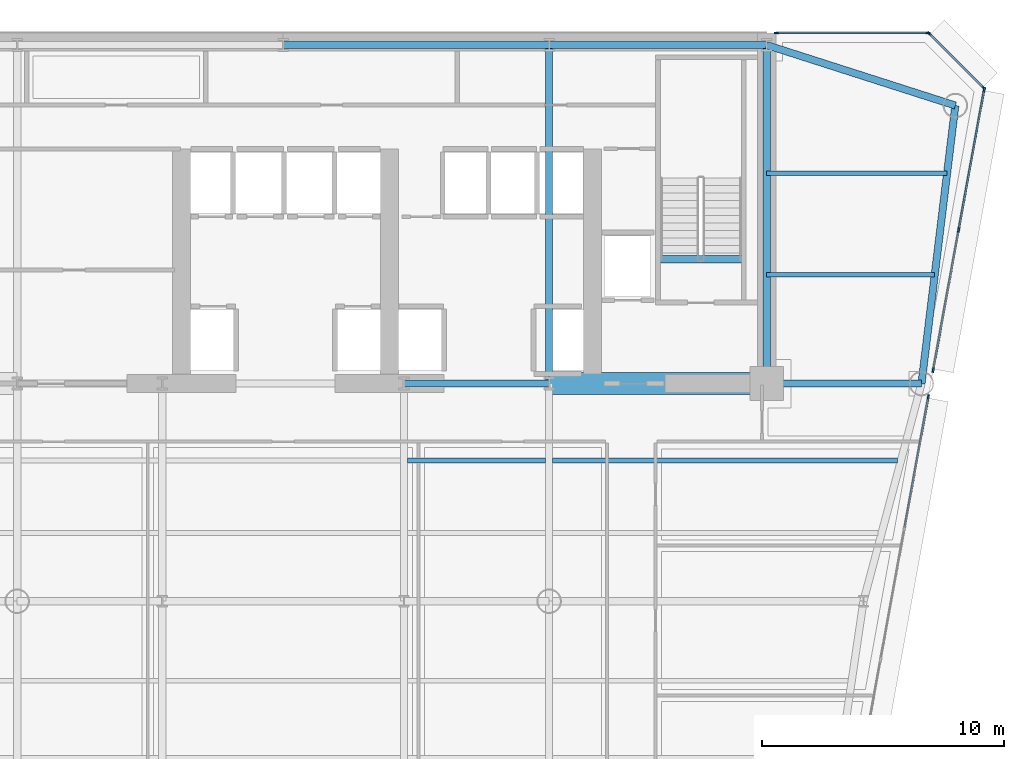
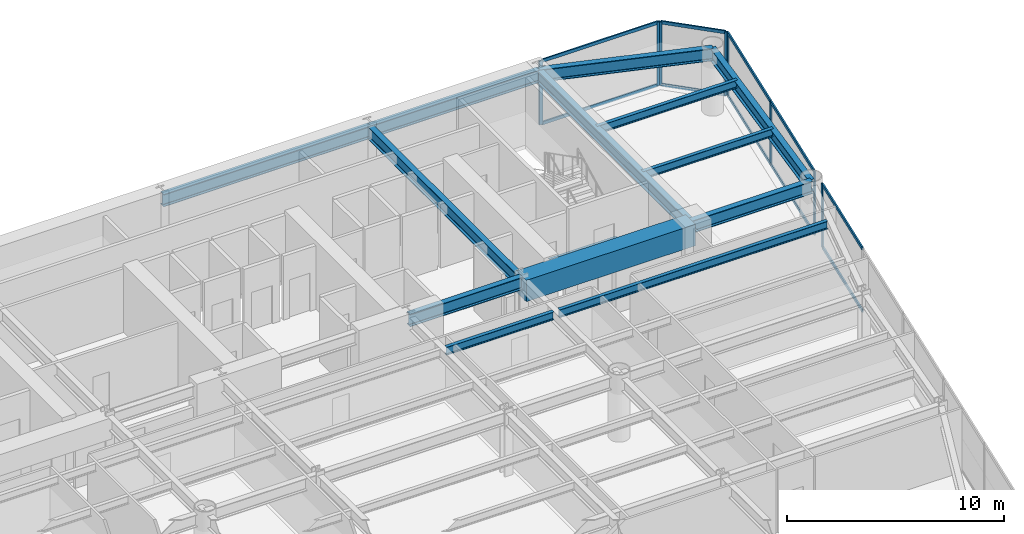
# One storey, part 6 of 14: 18 members, 14 beams, 4 elements without a shape of their own.
"""IFC4 building model written with IfcOpenShell, lengths in metres."""

from ifc_helpers import new_model, si_unit, direction, frame, origin, origin_2d, place, context, subcontext, project, spatial, rectangle, i_section, extrude, source, transform, mapped, material, layer, layer_set, material_profile, profile_set, type_object, element, aggregate, save


model = new_model("IFC4")

# Units and contexts
model_context = context("Model", 3, precision=1e-05, world=origin(), true_north=direction((0.0, 1.0)))
body_context = subcontext(model_context, "Body", "Model", "MODEL_VIEW")
ifc_project = project(units=[si_unit("LENGTHUNIT", "METRE"), si_unit("AREAUNIT", "SQUARE_METRE"), si_unit("VOLUMEUNIT", "CUBIC_METRE"), si_unit("PLANEANGLEUNIT", "RADIAN"), si_unit("MASSUNIT", "GRAM", prefix="KILO")], contexts=[model_context])

# Site, building, storey
site_placement = place(None, origin())
site = spatial("IfcSite", under=ifc_project, at=site_placement, CompositionType="ELEMENT")
building_placement = place(site_placement, origin())
building = spatial("IfcBuilding", under=site, at=building_placement, Name="Vaeldorn Concourse Tower", CompositionType="ELEMENT")
storey_placement = place(building_placement, frame((0.0, 0.0, 130.0)))
storey = spatial("IfcBuildingStorey", under=building, at=storey_placement, Name="L33", CompositionType="ELEMENT", Elevation=130.0)

# Beams
ifc_material_1 = material(Name="Concrete C60/75", Category="concrete")
ifc_material_profile_1 = material_profile(ifc_material_1, rectangle(XDim=0.89990234375, YDim=1.199951171875, at=origin_2d()), Name="RC 900x1200")
ifc_profile_set_1 = profile_set([ifc_material_profile_1], Name="Concrete C60/75")
beam_type_1 = type_object("IfcBeamType", Name="BM-CB-RC900", PredefinedType="BEAM", material=ifc_profile_set_1)
shared_shape_1 = source(origin(), body_context, "Body", "SweptSolid", [
    extrude(rectangle(XDim=0.89990234375, YDim=1.199951171875, at=origin_2d()), origin(), (0.0, 0.0, 1.0), 9.0),
])
beam_1_placement = place(storey_placement, frame((45.0, 36.5, 2.97998046875), z_axis=(1.0, 0.0, 0.0), x_axis=(0.0, 1.0, 0.0)))
element("IfcBeam", 1, at=beam_1_placement, inside=storey, type_object=beam_type_1, Name="Core Coupling Beam L33-2", PredefinedType="BEAM", context=body_context, shape_type="MappedRepresentation", body=[
    mapped(shared_shape_1, transform((0.0, 0.0, 0.0), scale=1.0)),
])
ifc_material_2 = material(Name="Steel S355", Category="steel")
ifc_material_profile_2 = material_profile(ifc_material_2, i_section(OverallWidth=0.300048828125, OverallDepth=0.340087890625, WebThickness=0.011962890625, FlangeThickness=0.021484375, FilletRadius=0.027099609375, at=origin_2d()), Name="HEB 340")
ifc_profile_set_2 = profile_set([ifc_material_profile_2], Name="Steel S355")
beam_type_2 = type_object("IfcBeamType", Name="BM-ST-TRIM", PredefinedType="BEAM", material=ifc_profile_set_2)
shared_shape_2 = source(origin(), body_context, "Body", "SweptSolid", [
    extrude(i_section(OverallWidth=0.300048828125, OverallDepth=0.340087890625, WebThickness=0.011962890625, FlangeThickness=0.021484375, FilletRadius=0.027099609375, at=origin_2d()), origin(), (0.0, 0.0, 1.0), 3.590087890625),
])
beam_2_placement = place(storey_placement, frame((49.47998046875, 41.639892578125, -0.389892578125), z_axis=(1.0, 0.0, 0.0), x_axis=(0.0, 1.0, 0.0)))
element("IfcBeam", 2, at=beam_2_placement, inside=storey, type_object=beam_type_2, Name="Stair Landing Trimmer Beam ST-2 L33", PredefinedType="BEAM", context=body_context, shape_type="MappedRepresentation", body=[
    mapped(shared_shape_2, transform((0.0, 0.0, 0.0), scale=1.0)),
])
ifc_material_profile_3 = material_profile(ifc_material_2, i_section(OverallWidth=0.300048828125, OverallDepth=0.699951171875, WebThickness=0.01708984375, FlangeThickness=0.031982421875, FilletRadius=0.027099609375, at=origin_2d()), Name="HEB 700")
ifc_profile_set_3 = profile_set([ifc_material_profile_3], Name="Steel S355")
beam_type_3 = type_object("IfcBeamType", Name="BM-PG-HEB700", PredefinedType="BEAM", material=ifc_profile_set_3)
shared_shape_3 = source(origin(), body_context, "Body", "SweptSolid", [
    extrude(i_section(OverallWidth=0.300048828125, OverallDepth=0.699951171875, WebThickness=0.01708984375, FlangeThickness=0.031982421875, FilletRadius=0.027099609375, at=origin_2d()), origin(), (0.0, 0.0, 1.0), 6.0),
])
beam_3_placement = place(storey_placement, frame((39.0, 36.5, 3.22998046875), z_axis=(1.0, 0.0, 0.0), x_axis=(0.0, 1.0, 0.0)))
element("IfcBeam", 3, at=beam_3_placement, inside=storey, type_object=beam_type_3, Name="Beam BM-L33-C-FC4-C-FC5", PredefinedType="BEAM", context=body_context, shape_type="MappedRepresentation", body=[
    mapped(shared_shape_3, transform((0.0, 0.0, 0.0), scale=1.0)),
])
shared_shape_4 = source(origin(), body_context, "Body", "SweptSolid", [
    extrude(i_section(OverallWidth=0.300048828125, OverallDepth=0.699951171875, WebThickness=0.01708984375, FlangeThickness=0.031982421875, FilletRadius=0.027099609375, at=origin_2d()), origin(), (0.0, 0.0, 1.0), 9.0),
])
beam_4_placement = place(storey_placement, frame((45.0, 50.5, 3.22998046875), z_axis=(1.0, 0.0, 0.0), x_axis=(0.0, 1.0, 0.0)))
element("IfcBeam", 4, at=beam_4_placement, inside=storey, type_object=beam_type_3, Name="Beam BM-L33-C-HC4-C-HC5", PredefinedType="BEAM", context=body_context, shape_type="MappedRepresentation", body=[
    mapped(shared_shape_4, transform((0.0, 0.0, 0.0), scale=1.0)),
])
shared_shape_5 = source(origin(), body_context, "Body", "SweptSolid", [
    extrude(i_section(OverallWidth=0.300048828125, OverallDepth=0.699951171875, WebThickness=0.01708984375, FlangeThickness=0.031982421875, FilletRadius=0.027099609375, at=origin_2d()), origin(), (0.0, 0.0, 1.0), 11.0),
])
beam_5_placement = place(storey_placement, frame((34.0, 50.5, 3.22998046875), z_axis=(1.0, 0.0, 0.0), x_axis=(0.0, 1.0, 0.0)))
element("IfcBeam", 5, at=beam_5_placement, inside=storey, type_object=beam_type_3, Name="Beam BM-L33-C-HC3-C-HC4", PredefinedType="BEAM", context=body_context, shape_type="MappedRepresentation", body=[
    mapped(shared_shape_5, transform((0.0, 0.0, 0.0), scale=1.0)),
])
shared_shape_6 = source(origin(), body_context, "Body", "SweptSolid", [
    extrude(i_section(OverallWidth=0.300048828125, OverallDepth=0.699951171875, WebThickness=0.01708984375, FlangeThickness=0.031982421875, FilletRadius=0.027099609375, at=origin_2d()), origin(), (0.0, 0.0, 1.0), 14.0),
])
for number, where, z_axis, x_axis, name in (
    (6, (45.0, 36.5, 3.22998046875), (0.0, 1.0, 0.0), (-1.0, 0.0, 0.0), "Beam BM-L33-C-FC5-C-HC4"),
    (7, (54.0, 36.5, 3.22998046875), (0.0, 1.0, 0.0), (-1.0, 0.0, 0.0), "Beam BM-L33-C-FC6-C-HC5"),
):
    element("IfcBeam", number, at=place(storey_placement, frame(where, z_axis=z_axis, x_axis=x_axis)), inside=storey, type_object=beam_type_3, Name=name, PredefinedType="BEAM", context=body_context, shape_type="MappedRepresentation", body=[
        mapped(shared_shape_6, transform((0.0, 0.0, 0.0), scale=1.0)),
    ])
shared_shape_7 = source(origin(), body_context, "Body", "SweptSolid", [
    extrude(i_section(OverallWidth=0.300048828125, OverallDepth=0.699951171875, WebThickness=0.01708984375, FlangeThickness=0.031982421875, FilletRadius=0.027099609375, at=origin_2d()), origin(), (0.0, 0.0, 1.0), 8.19091796875),
])
beam_6_placement = place(storey_placement, frame((54.0, 50.5, 3.22998046875), z_axis=(0.952282843383, -0.305216949396, 0.0), x_axis=(0.305216949396, 0.952282843383, 0.0)))
element("IfcBeam", 8, at=beam_6_placement, inside=storey, type_object=beam_type_3, Name="Beam BM-L33-C-HC5-C-NE1", PredefinedType="BEAM", context=body_context, shape_type="MappedRepresentation", body=[
    mapped(shared_shape_7, transform((0.0, 0.0, 0.0), scale=1.0)),
])
shared_shape_8 = source(origin(), body_context, "Body", "SweptSolid", [
    extrude(i_section(OverallWidth=0.300048828125, OverallDepth=0.699951171875, WebThickness=0.01708984375, FlangeThickness=0.031982421875, FilletRadius=0.027099609375, at=origin_2d()), origin(), (0.0, 0.0, 1.0), 11.5849609375),
])
beam_7_placement = place(storey_placement, frame((61.800048828125, 48.0, 3.22998046875), z_axis=(-0.120859382899, -0.992669637677, 0.0), x_axis=(0.992669637677, -0.120859382899, 0.0)))
element("IfcBeam", 9, at=beam_7_placement, inside=storey, type_object=beam_type_3, Name="Beam BM-L33-C-NE1-C-NE2", PredefinedType="BEAM", context=body_context, shape_type="MappedRepresentation", body=[
    mapped(shared_shape_8, transform((0.0, 0.0, 0.0), scale=1.0)),
])
shared_shape_9 = source(origin(), body_context, "Body", "SweptSolid", [
    extrude(i_section(OverallWidth=0.300048828125, OverallDepth=0.699951171875, WebThickness=0.01708984375, FlangeThickness=0.031982421875, FilletRadius=0.027099609375, at=origin_2d()), origin(), (0.0, 0.0, 1.0), 6.39990234375),
])
beam_8_placement = place(storey_placement, frame((54.0, 36.5, 3.22998046875), z_axis=(1.0, 0.0, 0.0), x_axis=(0.0, 1.0, 0.0)))
element("IfcBeam", 10, at=beam_8_placement, inside=storey, type_object=beam_type_3, Name="Beam BM-L33-C-FC6-C-NE2", PredefinedType="BEAM", context=body_context, shape_type="MappedRepresentation", body=[
    mapped(shared_shape_9, transform((0.0, 0.0, 0.0), scale=1.0)),
])
ifc_material_profile_4 = material_profile(ifc_material_2, i_section(OverallWidth=0.18994140625, OverallDepth=0.449951171875, WebThickness=0.009521484375, FlangeThickness=0.0146484375, FilletRadius=0.02099609375, at=origin_2d()), Name="IPE 450")
ifc_profile_set_4 = profile_set([ifc_material_profile_4], Name="Steel S355")
beam_type_4 = type_object("IfcBeamType", Name="BM-JS-IPE450", PredefinedType="JOIST", material=ifc_profile_set_4)
shared_shape_10 = source(origin(), body_context, "Body", "SweptSolid", [
    extrude(i_section(OverallWidth=0.18994140625, OverallDepth=0.449951171875, WebThickness=0.009521484375, FlangeThickness=0.0146484375, FilletRadius=0.02099609375, at=origin_2d()), origin(), (0.0, 0.0, 1.0), 5.7001953125),
])
beam_9_placement = place(storey_placement, frame((39.14990234375, 33.320068359375, 3.35498046875), z_axis=(1.0, 0.0, 0.0), x_axis=(0.0, 1.0, 0.0)))
element("IfcBeam", 11, at=beam_9_placement, inside=storey, type_object=beam_type_4, Name="Beam JS-L33-E2-333", PredefinedType="JOIST", context=body_context, shape_type="MappedRepresentation", body=[
    mapped(shared_shape_10, transform((0.0, 0.0, 0.0), scale=1.0)),
])
shared_shape_11 = source(origin(), body_context, "Body", "SweptSolid", [
    extrude(i_section(OverallWidth=0.18994140625, OverallDepth=0.449951171875, WebThickness=0.009521484375, FlangeThickness=0.0146484375, FilletRadius=0.02099609375, at=origin_2d()), origin(), (0.0, 0.0, 1.0), 6.94775390625),
])
beam_10_placement = place(storey_placement, frame((54.0, 41.0, 3.35498046875), z_axis=(1.0, 0.0, 0.0), x_axis=(0.0, 1.0, 0.0)))
element("IfcBeam", 12, at=beam_10_placement, inside=storey, type_object=beam_type_4, Name="Beam JS-L33-NE-410", PredefinedType="JOIST", context=body_context, shape_type="MappedRepresentation", body=[
    mapped(shared_shape_11, transform((0.0, 0.0, 0.0), scale=1.0)),
])
shared_shape_12 = source(origin(), body_context, "Body", "SweptSolid", [
    extrude(i_section(OverallWidth=0.18994140625, OverallDepth=0.449951171875, WebThickness=0.009521484375, FlangeThickness=0.0146484375, FilletRadius=0.02099609375, at=origin_2d()), origin(), (0.0, 0.0, 1.0), 7.458984375),
])
beam_11_placement = place(storey_placement, frame((54.0, 45.199951171875, 3.35498046875), z_axis=(1.0, 0.0, 0.0), x_axis=(0.0, 1.0, 0.0)))
element("IfcBeam", 13, at=beam_11_placement, inside=storey, type_object=beam_type_4, Name="Beam JS-L33-NE-452", PredefinedType="JOIST", context=body_context, shape_type="MappedRepresentation", body=[
    mapped(shared_shape_12, transform((0.0, 0.0, 0.0), scale=1.0)),
])
shared_shape_13 = source(origin(), body_context, "Body", "SweptSolid", [
    extrude(i_section(OverallWidth=0.18994140625, OverallDepth=0.449951171875, WebThickness=0.009521484375, FlangeThickness=0.0146484375, FilletRadius=0.02099609375, at=origin_2d()), origin(), (0.0, 0.0, 1.0), 14.252197265625),
])
beam_12_placement = place(storey_placement, frame((45.14990234375, 33.320068359375, 3.35498046875), z_axis=(1.0, 0.0, 0.0), x_axis=(0.0, 1.0, 0.0)))
element("IfcBeam", 14, at=beam_12_placement, inside=storey, type_object=beam_type_4, Name="Beam JS-L33-E1-333", PredefinedType="JOIST", context=body_context, shape_type="MappedRepresentation", body=[
    mapped(shared_shape_13, transform((0.0, 0.0, 0.0), scale=1.0)),
])

# Curtain wall, members
ifc_material_3 = material(Name="Anodised Bronze Aluminium", Category="aluminium")
ifc_layer = layer(ifc_material_3, 0.199951171875)
ifc_layer_set = layer_set([ifc_layer], Name="Anodised Bronze Aluminium")
curtain_wall_type = type_object("IfcCurtainWallType", Name="CW-SYS-02", PredefinedType="NOTDEFINED", material=ifc_layer_set)
curtain_wall_1_placement = place(storey_placement, origin())
curtain_wall_1 = element("IfcCurtainWall", 15, at=curtain_wall_1_placement, inside=storey, type_object=curtain_wall_type, Name="Unitised Curtain Wall CW-L33-E08-1", PredefinedType="NOTDEFINED")
ifc_material_profile_5 = material_profile(ifc_material_3, rectangle(XDim=0.074951171875, YDim=0.179931640625, at=origin_2d()), Name="CWT 75x180")
ifc_profile_set_5 = profile_set([ifc_material_profile_5], Name="Anodised Bronze Aluminium")
member_type_1 = type_object("IfcMemberType", Name="CWT-BRONZE-180", PredefinedType="USERDEFINED", material=ifc_profile_set_5)
shared_shape_14 = source(origin(), body_context, "Body", "SweptSolid", [
    extrude(rectangle(XDim=0.074951171875, YDim=0.179931640625, at=origin_2d()), origin(), (0.0, 0.0, 1.0), 3.10302734375),
])
member_1_placement = place(storey_placement, frame((62.947021484375, 48.7529296875, 0.03759765625), z_axis=(-0.707106781187, 0.707106781187, 0.0), x_axis=(-0.707106781187, -0.707106781187, 0.0)))
member_1 = element("IfcMember", 16, at=member_1_placement, type_object=member_type_1, Name="CW-02 transom 1.1", ObjectType="TRANSOM", PredefinedType="USERDEFINED", context=body_context, shape_type="MappedRepresentation", body=[
    mapped(shared_shape_14, transform((0.0, 0.0, 0.0), scale=1.0)),
])
member_2_placement = place(storey_placement, frame((62.947021484375, 48.7529296875, 3.54248046875), z_axis=(-0.707106781187, 0.707106781187, 0.0), x_axis=(-0.707106781187, -0.707106781187, 0.0)))
member_2 = element("IfcMember", 17, at=member_2_placement, type_object=member_type_1, Name="CW-02 transom 1.2", ObjectType="TRANSOM", PredefinedType="USERDEFINED", context=body_context, shape_type="MappedRepresentation", body=[
    mapped(shared_shape_14, transform((0.0, 0.0, 0.0), scale=1.0)),
])

# Curtain wall, member
curtain_wall_2_placement = place(storey_placement, origin())
curtain_wall_2 = element("IfcCurtainWall", 18, at=curtain_wall_2_placement, inside=storey, type_object=curtain_wall_type, Name="Unitised Curtain Wall CW-L33-E07-1", PredefinedType="NOTDEFINED")
ifc_material_profile_6 = material_profile(ifc_material_3, rectangle(XDim=0.074951171875, YDim=0.18994140625, at=origin_2d()), Name="CWM 75x190")
ifc_profile_set_6 = profile_set([ifc_material_profile_6], Name="Anodised Bronze Aluminium")
member_type_2 = type_object("IfcMemberType", Name="CWM-BRONZE-190", PredefinedType="MULLION", material=ifc_profile_set_6)
shared_shape_15 = source(origin(), body_context, "Body", "SweptSolid", [
    extrude(rectangle(XDim=0.074951171875, YDim=0.18994140625, at=origin_2d()), origin(), (0.0, 0.0, 1.0), 3.580078125),
])
member_3_placement = place(storey_placement, frame((60.682373046875, 35.945068359375, 0.0), z_axis=(0.0, 0.0, 1.0), x_axis=(-0.983890155414, 0.178774053149, 0.0)))
member_3 = element("IfcMember", 19, at=member_3_placement, type_object=member_type_2, Name="CW-02 mullion 7", PredefinedType="MULLION", context=body_context, shape_type="MappedRepresentation", body=[
    mapped(shared_shape_15, transform((0.0, 0.0, 0.0), scale=1.0)),
])

# Curtain wall, members
curtain_wall_3_placement = place(storey_placement, origin())
curtain_wall_3 = element("IfcCurtainWall", 20, at=curtain_wall_3_placement, inside=storey, type_object=curtain_wall_type, Name="Unitised Curtain Wall CW-L33-E07-2", PredefinedType="NOTDEFINED")
member_4_placement = place(storey_placement, frame((60.884033203125, 37.054931640625, 0.0), z_axis=(0.0, 0.0, 1.0), x_axis=(-0.983890655974, 0.178771298276, 0.0)))
member_4 = element("IfcMember", 21, at=member_4_placement, type_object=member_type_2, Name="CW-02 mullion 1", PredefinedType="MULLION", context=body_context, shape_type="MappedRepresentation", body=[
    mapped(shared_shape_15, transform((0.0, 0.0, 0.0), scale=1.0)),
])
member_5_placement = place(storey_placement, frame((61.938720703125, 42.85888671875, 0.0), z_axis=(0.0, 0.0, 1.0), x_axis=(-0.983890655974, 0.178771298276, 0.0)))
member_5 = element("IfcMember", 22, at=member_5_placement, type_object=member_type_2, Name="CW-02 mullion 2", PredefinedType="MULLION", context=body_context, shape_type="MappedRepresentation", body=[
    mapped(shared_shape_15, transform((0.0, 0.0, 0.0), scale=1.0)),
])
member_6_placement = place(storey_placement, frame((62.993408203125, 48.6630859375, 0.0), z_axis=(0.0, 0.0, 1.0), x_axis=(-0.983890655974, 0.178771298276, 0.0)))
member_6 = element("IfcMember", 23, at=member_6_placement, type_object=member_type_2, Name="CW-02 mullion 3", PredefinedType="MULLION", context=body_context, shape_type="MappedRepresentation", body=[
    mapped(shared_shape_15, transform((0.0, 0.0, 0.0), scale=1.0)),
])

# Member
member_7_placement = place(storey_placement, frame((62.973388671875, 48.7265625, 0.0), z_axis=(0.0, 0.0, 1.0), x_axis=(-0.707106781187, -0.707106781187, 0.0)))
member_7 = element("IfcMember", 24, at=member_7_placement, type_object=member_type_2, Name="CW-02 mullion 1", PredefinedType="MULLION", context=body_context, shape_type="MappedRepresentation", body=[
    mapped(shared_shape_15, transform((0.0, 0.0, 0.0), scale=1.0)),
])

member_8_placement = place(storey_placement, frame((60.7265625, 50.973388671875, 0.0), z_axis=(0.0, 0.0, 1.0), x_axis=(-0.707106781187, -0.707106781187, 0.0)))
member_8 = element("IfcMember", 25, at=member_8_placement, type_object=member_type_2, Name="CW-02 mullion 2", PredefinedType="MULLION", context=body_context, shape_type="MappedRepresentation", body=[
    mapped(shared_shape_15, transform((0.0, 0.0, 0.0), scale=1.0)),
])

aggregate(curtain_wall_1, [member_7, member_8, member_1, member_2])

# Curtain wall, members
curtain_wall_4_placement = place(storey_placement, origin())
curtain_wall_4 = element("IfcCurtainWall", 26, at=curtain_wall_4_placement, inside=storey, type_object=curtain_wall_type, Name="Unitised Curtain Wall CW-L33-E09-1", PredefinedType="NOTDEFINED")
member_9_placement = place(storey_placement, frame((60.66259765625, 51.0, 0.0), z_axis=(0.0, 0.0, 1.0), x_axis=(0.0, -1.0, 0.0)))
member_9 = element("IfcMember", 27, at=member_9_placement, type_object=member_type_2, Name="CW-02 mullion 1", PredefinedType="MULLION", context=body_context, shape_type="MappedRepresentation", body=[
    mapped(shared_shape_15, transform((0.0, 0.0, 0.0), scale=1.0)),
])
member_10_placement = place(storey_placement, frame((54.407470703125, 51.0, 0.0), z_axis=(0.0, 0.0, 1.0), x_axis=(0.0, -1.0, 0.0)))
member_10 = element("IfcMember", 28, at=member_10_placement, type_object=member_type_2, Name="CW-02 mullion 2", PredefinedType="MULLION", context=body_context, shape_type="MappedRepresentation", body=[
    mapped(shared_shape_15, transform((0.0, 0.0, 0.0), scale=1.0)),
])
shared_shape_16 = source(origin(), body_context, "Body", "SweptSolid", [
    extrude(rectangle(XDim=0.074951171875, YDim=0.179931640625, at=origin_2d()), origin(), (0.0, 0.0, 1.0), 6.179931640625),
])
member_11_placement = place(storey_placement, frame((60.625, 51.0, 0.03759765625), z_axis=(-1.0, 0.0, 0.0), x_axis=(0.0, -1.0, 0.0)))
member_11 = element("IfcMember", 29, at=member_11_placement, type_object=member_type_1, Name="CW-02 transom 1.1", ObjectType="TRANSOM", PredefinedType="USERDEFINED", context=body_context, shape_type="MappedRepresentation", body=[
    mapped(shared_shape_16, transform((0.0, 0.0, 0.0), scale=1.0)),
])
member_12_placement = place(storey_placement, frame((60.625, 51.0, 3.54248046875), z_axis=(-1.0, 0.0, 0.0), x_axis=(0.0, -1.0, 0.0)))
member_12 = element("IfcMember", 30, at=member_12_placement, type_object=member_type_1, Name="CW-02 transom 1.2", ObjectType="TRANSOM", PredefinedType="USERDEFINED", context=body_context, shape_type="MappedRepresentation", body=[
    mapped(shared_shape_16, transform((0.0, 0.0, 0.0), scale=1.0)),
])
aggregate(curtain_wall_4, [member_9, member_10, member_11, member_12])

# Member
shared_shape_17 = source(origin(), body_context, "Body", "SweptSolid", [
    extrude(rectangle(XDim=0.074951171875, YDim=0.179931640625, at=origin_2d()), origin(), (0.0, 0.0, 1.0), 5.430908203125),
])
member_13_placement = place(storey_placement, frame((59.704833984375, 30.564697265625, 0.03759765625), z_axis=(0.178778628491, 0.983889324058, 0.0), x_axis=(-0.983889324058, 0.178778628491, 0.0)))
member_13 = element("IfcMember", 31, at=member_13_placement, type_object=member_type_1, Name="CW-02 transom 6.1", ObjectType="TRANSOM", PredefinedType="USERDEFINED", context=body_context, shape_type="MappedRepresentation", body=[
    mapped(shared_shape_17, transform((0.0, 0.0, 0.0), scale=1.0)),
])

member_14_placement = place(storey_placement, frame((59.704833984375, 30.564697265625, 3.54248046875), z_axis=(0.178778628491, 0.983889324058, 0.0), x_axis=(-0.983889324058, 0.178778628491, 0.0)))
member_14 = element("IfcMember", 32, at=member_14_placement, type_object=member_type_1, Name="CW-02 transom 6.2", ObjectType="TRANSOM", PredefinedType="USERDEFINED", context=body_context, shape_type="MappedRepresentation", body=[
    mapped(shared_shape_17, transform((0.0, 0.0, 0.0), scale=1.0)),
])

aggregate(curtain_wall_2, [member_3, member_13, member_14])

shared_shape_18 = source(origin(), body_context, "Body", "SweptSolid", [
    extrude(rectangle(XDim=0.074951171875, YDim=0.179931640625, at=origin_2d()), origin(), (0.0, 0.0, 1.0), 5.823974609375),
])
member_15_placement = place(storey_placement, frame((60.890869140625, 37.091796875, 0.03759765625), z_axis=(0.178745257177, 0.983895387242, 0.0), x_axis=(-0.983895387242, 0.178745257177, 0.0)))
member_15 = element("IfcMember", 33, at=member_15_placement, type_object=member_type_1, Name="CW-02 transom 1.1", ObjectType="TRANSOM", PredefinedType="USERDEFINED", context=body_context, shape_type="MappedRepresentation", body=[
    mapped(shared_shape_18, transform((0.0, 0.0, 0.0), scale=1.0)),
])

member_16_placement = place(storey_placement, frame((60.890869140625, 37.091796875, 3.54248046875), z_axis=(0.178745257177, 0.983895387242, 0.0), x_axis=(-0.983895387242, 0.178745257177, 0.0)))
member_16 = element("IfcMember", 34, at=member_16_placement, type_object=member_type_1, Name="CW-02 transom 1.2", ObjectType="TRANSOM", PredefinedType="USERDEFINED", context=body_context, shape_type="MappedRepresentation", body=[
    mapped(shared_shape_18, transform((0.0, 0.0, 0.0), scale=1.0)),
])

member_17_placement = place(storey_placement, frame((61.9453125, 42.89599609375, 0.03759765625), z_axis=(0.178785837014, 0.983888014198, 0.0), x_axis=(-0.983888014198, 0.178785837014, 0.0)))
member_17 = element("IfcMember", 35, at=member_17_placement, type_object=member_type_1, Name="CW-02 transom 2.1", ObjectType="TRANSOM", PredefinedType="USERDEFINED", context=body_context, shape_type="MappedRepresentation", body=[
    mapped(shared_shape_18, transform((0.0, 0.0, 0.0), scale=1.0)),
])

member_18_placement = place(storey_placement, frame((61.9453125, 42.89599609375, 3.54248046875), z_axis=(0.178785837014, 0.983888014198, 0.0), x_axis=(-0.983888014198, 0.178785837014, 0.0)))
member_18 = element("IfcMember", 36, at=member_18_placement, type_object=member_type_1, Name="CW-02 transom 2.2", ObjectType="TRANSOM", PredefinedType="USERDEFINED", context=body_context, shape_type="MappedRepresentation", body=[
    mapped(shared_shape_18, transform((0.0, 0.0, 0.0), scale=1.0)),
])

aggregate(curtain_wall_3, [member_4, member_5, member_6, member_15, member_16, member_17, member_18])

save(model, "model.ifc")
